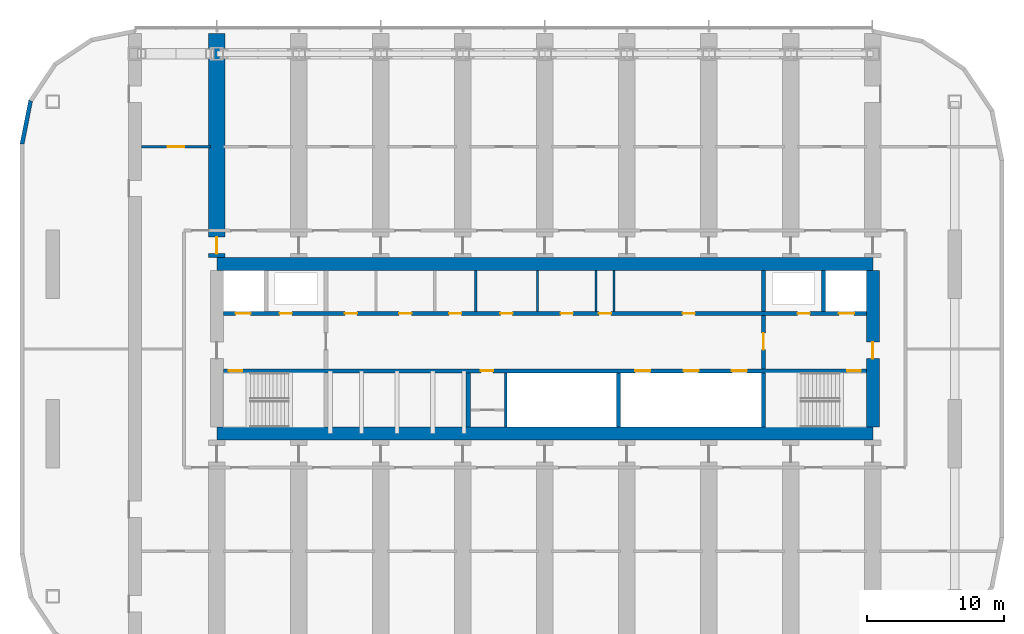
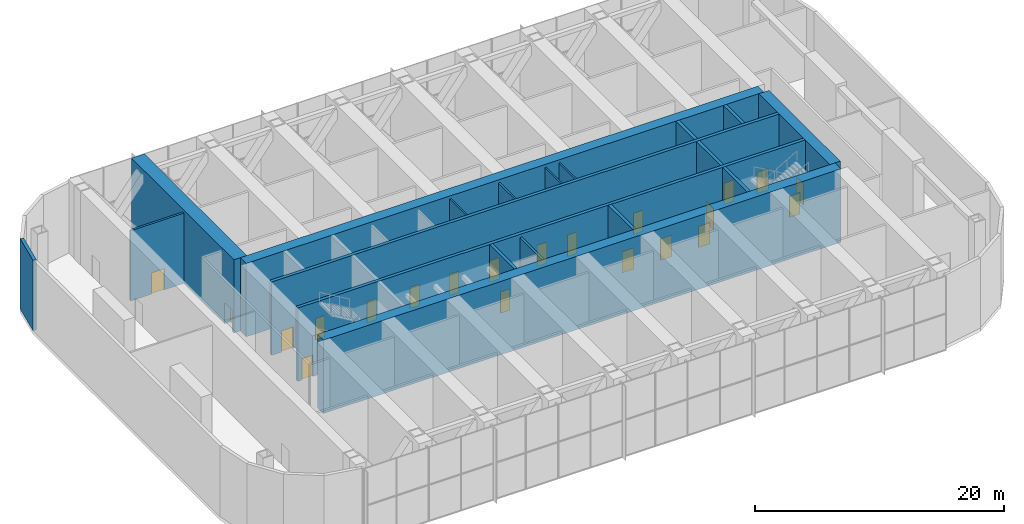
# One storey, part 10 of 22: 21 doors, 19 walls, 21 openings.
"""IFC4 building model written with IfcOpenShell, lengths in metres."""

from ifc_helpers import new_model, si_unit, direction, frame, frame_2d, origin, place, context, subcontext, project, spatial, polyline, rectangle, outline, extrude, material, layer, layer_set, type_object, element, fill, save


model = new_model("IFC4")

# Units and contexts
model_context = context("Model", 3, precision=1e-05, world=origin(), true_north=direction((0.0, 1.0)))
body_context = subcontext(model_context, "Body", "Model", "MODEL_VIEW")
ifc_project = project(units=[si_unit("LENGTHUNIT", "METRE"), si_unit("AREAUNIT", "SQUARE_METRE"), si_unit("VOLUMEUNIT", "CUBIC_METRE"), si_unit("PLANEANGLEUNIT", "RADIAN"), si_unit("MASSUNIT", "GRAM", prefix="KILO")], contexts=[model_context])

# Site, building, storey
site_placement = place(None, origin())
site = spatial("IfcSite", under=ifc_project, at=site_placement, CompositionType="ELEMENT")
building_placement = place(site_placement, origin())
building = spatial("IfcBuilding", under=site, at=building_placement, Name="Orbita Commons", CompositionType="ELEMENT")
storey_placement = place(building_placement, frame((0.0, 0.0, 133.14990234375)))
storey = spatial("IfcBuildingStorey", under=building, at=storey_placement, Name="L33", CompositionType="ELEMENT", Elevation=133.14990234375)

# Wall, openings, doors
ifc_material_1 = material(Name="Concrete C50/60", Category="concrete")
ifc_layer_1 = layer(ifc_material_1, 0.300048828125)
ifc_layer_set_1 = layer_set([ifc_layer_1], Name="Concrete C50/60")
wall_type_1 = type_object("IfcWallType", Name="Core inner wall 300 C50/60", PredefinedType="SHEAR", material=ifc_layer_set_1)
wall_1_placement = place(storey_placement, frame((18.47509765625, 30.39990234375, 0.0), z_axis=(0.0, 0.0, 1.0), x_axis=(1.0, 0.0, 0.0)))
wall_1 = element("IfcWall", 1, at=wall_1_placement, inside=storey, type_object=wall_type_1, Name="Lobby wall south L33", PredefinedType="SHEAR", context=body_context, shape_type="SweptSolid", body=[
    extrude(rectangle(XDim=47.0498046875, YDim=0.300048828125, at=frame_2d((23.52490234375, 0.0))), origin(), (0.0, 0.0, 1.0), 7.2001953125),
])
opening_1_placement = place(wall_1_placement, frame((0.39990234375, 0.0, 0.0)))
opening_1 = element("IfcOpeningElement", 2, at=opening_1_placement, cuts=wall_1, Name="Opening D02", PredefinedType="OPENING", context=body_context, shape_type="SweptSolid", body=[
    extrude(rectangle(XDim=1.0, YDim=2.10009765625, at=frame_2d((0.5, 1.050048828125))), frame((0.0, 0.159912109375, 0.0), z_axis=(0.0, -1.0, 0.0), x_axis=(1.0, 0.0, 0.0)), (0.0, 0.0, 1.0), 0.320068359375),
])
opening_2_placement = place(wall_1_placement, frame((45.64990234375, 0.0, 0.0)))
opening_2 = element("IfcOpeningElement", 3, at=opening_2_placement, cuts=wall_1, Name="Opening D02", PredefinedType="OPENING", context=body_context, shape_type="SweptSolid", body=[
    extrude(rectangle(XDim=1.0, YDim=2.10009765625, at=frame_2d((0.5, 1.050048828125))), frame((0.0, 0.159912109375, 0.0), z_axis=(0.0, -1.0, 0.0), x_axis=(1.0, 0.0, 0.0)), (0.0, 0.0, 1.0), 0.320068359375),
])
opening_3_placement = place(wall_1_placement, frame((18.85009765625, 0.0, 0.0)))
opening_3 = element("IfcOpeningElement", 4, at=opening_3_placement, cuts=wall_1, Name="Opening D05", PredefinedType="OPENING", context=body_context, shape_type="SweptSolid", body=[
    extrude(rectangle(XDim=0.89990234375, YDim=2.10009765625, at=frame_2d((0.449951171875, 1.050048828125))), frame((0.0, 0.159912109375, 0.0), z_axis=(0.0, -1.0, 0.0), x_axis=(1.0, 0.0, 0.0)), (0.0, 0.0, 1.0), 0.320068359375),
])
opening_4_placement = place(wall_1_placement, frame((30.1416015625, 0.0, 0.0)))
opening_4 = element("IfcOpeningElement", 5, at=opening_4_placement, cuts=wall_1, Name="Opening LD02", PredefinedType="OPENING", context=body_context, shape_type="SweptSolid", body=[
    extrude(rectangle(XDim=1.10009765625, YDim=2.10009765625, at=frame_2d((0.550048828125, 1.050048828125))), frame((0.0, 0.159912109375, 0.0), z_axis=(0.0, -1.0, 0.0), x_axis=(1.0, 0.0, 0.0)), (0.0, 0.0, 1.0), 0.320068359375),
])
opening_5_placement = place(wall_1_placement, frame((33.675048828125, 0.0, 0.0)))
opening_5 = element("IfcOpeningElement", 6, at=opening_5_placement, cuts=wall_1, Name="Opening LD02", PredefinedType="OPENING", context=body_context, shape_type="SweptSolid", body=[
    extrude(rectangle(XDim=1.10009765625, YDim=2.10009765625, at=frame_2d((0.550048828125, 1.050048828125))), frame((0.0, 0.159912109375, 0.0), z_axis=(0.0, -1.0, 0.0), x_axis=(1.0, 0.0, 0.0)), (0.0, 0.0, 1.0), 0.320068359375),
])
opening_6_placement = place(wall_1_placement, frame((37.208251953125, 0.0, 0.0)))
opening_6 = element("IfcOpeningElement", 7, at=opening_6_placement, cuts=wall_1, Name="Opening LD02", PredefinedType="OPENING", context=body_context, shape_type="SweptSolid", body=[
    extrude(rectangle(XDim=1.10009765625, YDim=2.10009765625, at=frame_2d((0.550048828125, 1.050048828125))), frame((0.0, 0.159912109375, 0.0), z_axis=(0.0, -1.0, 0.0), x_axis=(1.0, 0.0, 0.0)), (0.0, 0.0, 1.0), 0.320068359375),
])
ifc_material_2 = material(Name="Steel-faced fire door leaf", Category="steel")
door_type_1 = type_object("IfcDoorType", Name="Fire door 90 min 1000x2100", OperationType="SINGLE_SWING_LEFT", PredefinedType="DOOR", material=ifc_material_2)
door_1_placement = place(opening_1_placement, origin())
door_1 = element("IfcDoor", 8, at=door_1_placement, inside=storey, type_object=door_type_1, Name="Stair S1 door", OperationType="SINGLE_SWING_LEFT", OverallHeight=2.10009765625, OverallWidth=1.0, PredefinedType="DOOR", context=body_context, shape_type="SweptSolid", body=[
    extrude(rectangle(XDim=1.0, YDim=2.10009765625, at=frame_2d((0.5, 1.050048828125))), frame((0.0, 0.02490234375, 0.0), z_axis=(0.0, -1.0, 0.0), x_axis=(1.0, 0.0, 0.0)), (0.0, 0.0, 1.0), 0.050048828125),
])
fill(opening_1, door_1)
door_2_placement = place(opening_2_placement, origin())
door_2 = element("IfcDoor", 9, at=door_2_placement, inside=storey, type_object=door_type_1, Name="Stair S2 door", OperationType="SINGLE_SWING_LEFT", OverallHeight=2.10009765625, OverallWidth=1.0, PredefinedType="DOOR", context=body_context, shape_type="SweptSolid", body=[
    extrude(rectangle(XDim=1.0, YDim=2.10009765625, at=frame_2d((0.5, 1.050048828125))), frame((0.0, 0.02490234375, 0.0), z_axis=(0.0, -1.0, 0.0), x_axis=(1.0, 0.0, 0.0)), (0.0, 0.0, 1.0), 0.050048828125),
])
fill(opening_2, door_2)
ifc_material_3 = material(Name="Steel-faced fire door leaf", Category="steel")
door_type_2 = type_object("IfcDoorType", Name="Lift landing door 1100x2100", OperationType="DOUBLE_DOOR_SLIDING", PredefinedType="DOOR", material=ifc_material_3)
door_3_placement = place(opening_4_placement, origin())
door_3 = element("IfcDoor", 10, at=door_3_placement, inside=storey, type_object=door_type_2, Name="Lift SV1 landing door", OperationType="DOUBLE_DOOR_SLIDING", OverallHeight=2.10009765625, OverallWidth=1.10009765625, PredefinedType="DOOR", context=body_context, shape_type="SweptSolid", body=[
    extrude(rectangle(XDim=1.10009765625, YDim=2.10009765625, at=frame_2d((0.550048828125, 1.050048828125))), frame((0.0, 0.02490234375, 0.0), z_axis=(0.0, -1.0, 0.0), x_axis=(1.0, 0.0, 0.0)), (0.0, 0.0, 1.0), 0.050048828125),
])
fill(opening_4, door_3)
door_4_placement = place(opening_5_placement, origin())
door_4 = element("IfcDoor", 11, at=door_4_placement, inside=storey, type_object=door_type_2, Name="Lift SV2 landing door", OperationType="DOUBLE_DOOR_SLIDING", OverallHeight=2.10009765625, OverallWidth=1.10009765625, PredefinedType="DOOR", context=body_context, shape_type="SweptSolid", body=[
    extrude(rectangle(XDim=1.10009765625, YDim=2.10009765625, at=frame_2d((0.550048828125, 1.050048828125))), frame((0.0, 0.02490234375, 0.0), z_axis=(0.0, -1.0, 0.0), x_axis=(1.0, 0.0, 0.0)), (0.0, 0.0, 1.0), 0.050048828125),
])
fill(opening_5, door_4)
door_5_placement = place(opening_6_placement, origin())
door_5 = element("IfcDoor", 12, at=door_5_placement, inside=storey, type_object=door_type_2, Name="Lift SV3 landing door", OperationType="DOUBLE_DOOR_SLIDING", OverallHeight=2.10009765625, OverallWidth=1.10009765625, PredefinedType="DOOR", context=body_context, shape_type="SweptSolid", body=[
    extrude(rectangle(XDim=1.10009765625, YDim=2.10009765625, at=frame_2d((0.550048828125, 1.050048828125))), frame((0.0, 0.02490234375, 0.0), z_axis=(0.0, -1.0, 0.0), x_axis=(1.0, 0.0, 0.0)), (0.0, 0.0, 1.0), 0.050048828125),
])
fill(opening_6, door_5)
ifc_material_4 = material(Name="Steel-faced fire door leaf", Category="steel")
door_type_3 = type_object("IfcDoorType", Name="Service door 20 min 900x2100", OperationType="SINGLE_SWING_LEFT", PredefinedType="DOOR", material=ifc_material_4)
door_6_placement = place(opening_3_placement, origin())
door_6 = element("IfcDoor", 13, at=door_6_placement, inside=storey, type_object=door_type_3, Name="IT room door", OperationType="SINGLE_SWING_LEFT", OverallHeight=2.10009765625, OverallWidth=0.89990234375, PredefinedType="DOOR", context=body_context, shape_type="SweptSolid", body=[
    extrude(rectangle(XDim=0.89990234375, YDim=2.10009765625, at=frame_2d((0.449951171875, 1.050048828125))), frame((0.0, 0.02490234375, 0.0), z_axis=(0.0, -1.0, 0.0), x_axis=(1.0, 0.0, 0.0)), (0.0, 0.0, 1.0), 0.050048828125),
])
fill(opening_3, door_6)

wall_2_placement = place(storey_placement, frame((18.47509765625, 34.60009765625, 0.0), z_axis=(0.0, 0.0, 1.0), x_axis=(1.0, 0.0, 0.0)))
wall_2 = element("IfcWall", 14, at=wall_2_placement, inside=storey, type_object=wall_type_1, Name="Lobby wall north L33", PredefinedType="SHEAR", context=body_context, shape_type="SweptSolid", body=[
    extrude(rectangle(XDim=47.0498046875, YDim=0.300048828125, at=frame_2d((23.52490234375, 0.0))), origin(), (0.0, 0.0, 1.0), 7.2001953125),
])
opening_7_placement = place(wall_2_placement, frame((0.89990234375, 0.0, 0.0)))
opening_7 = element("IfcOpeningElement", 15, at=opening_7_placement, cuts=wall_2, Name="Opening LD01", PredefinedType="OPENING", context=body_context, shape_type="SweptSolid", body=[
    extrude(rectangle(XDim=1.10009765625, YDim=2.10009765625, at=frame_2d((0.550048828125, 1.050048828125))), frame((0.0, 0.159912109375, 0.0), z_axis=(0.0, -1.0, 0.0), x_axis=(1.0, 0.0, 0.0)), (0.0, 0.0, 1.0), 0.320068359375),
])
opening_8_placement = place(wall_2_placement, frame((45.050048828125, 0.0, 0.0)))
opening_8 = element("IfcOpeningElement", 16, at=opening_8_placement, cuts=wall_2, Name="Opening LD01", PredefinedType="OPENING", context=body_context, shape_type="SweptSolid", body=[
    extrude(rectangle(XDim=1.10009765625, YDim=2.10009765625, at=frame_2d((0.550048828125, 1.050048828125))), frame((0.0, 0.159912109375, 0.0), z_axis=(0.0, -1.0, 0.0), x_axis=(1.0, 0.0, 0.0)), (0.0, 0.0, 1.0), 0.320068359375),
])
opening_9_placement = place(wall_2_placement, frame((4.125, 0.0, 0.0)))
opening_9 = element("IfcOpeningElement", 17, at=opening_9_placement, cuts=wall_2, Name="Opening D03", PredefinedType="OPENING", context=body_context, shape_type="SweptSolid", body=[
    extrude(rectangle(XDim=0.89990234375, YDim=2.10009765625, at=frame_2d((0.449951171875, 1.050048828125))), frame((0.0, 0.159912109375, 0.0), z_axis=(0.0, -1.0, 0.0), x_axis=(1.0, 0.0, 0.0)), (0.0, 0.0, 1.0), 0.320068359375),
])
opening_10_placement = place(wall_2_placement, frame((42.02490234375, 0.0, 0.0)))
opening_10 = element("IfcOpeningElement", 18, at=opening_10_placement, cuts=wall_2, Name="Opening D03", PredefinedType="OPENING", context=body_context, shape_type="SweptSolid", body=[
    extrude(rectangle(XDim=0.89990234375, YDim=2.10009765625, at=frame_2d((0.449951171875, 1.050048828125))), frame((0.0, 0.159912109375, 0.0), z_axis=(0.0, -1.0, 0.0), x_axis=(1.0, 0.0, 0.0)), (0.0, 0.0, 1.0), 0.320068359375),
])
opening_11_placement = place(wall_2_placement, frame((8.900390625, 0.0, 0.0)))
opening_11 = element("IfcOpeningElement", 19, at=opening_11_placement, cuts=wall_2, Name="Opening D05", PredefinedType="OPENING", context=body_context, shape_type="SweptSolid", body=[
    extrude(rectangle(XDim=0.89990234375, YDim=2.10009765625, at=frame_2d((0.449951171875, 1.050048828125))), frame((0.0, 0.159912109375, 0.0), z_axis=(0.0, -1.0, 0.0), x_axis=(1.0, 0.0, 0.0)), (0.0, 0.0, 1.0), 0.320068359375),
])
opening_12_placement = place(wall_2_placement, frame((12.873779296875, 0.0, 0.0)))
opening_12 = element("IfcOpeningElement", 20, at=opening_12_placement, cuts=wall_2, Name="Opening D03", PredefinedType="OPENING", context=body_context, shape_type="SweptSolid", body=[
    extrude(rectangle(XDim=0.89990234375, YDim=2.10009765625, at=frame_2d((0.449951171875, 1.050048828125))), frame((0.0, 0.159912109375, 0.0), z_axis=(0.0, -1.0, 0.0), x_axis=(1.0, 0.0, 0.0)), (0.0, 0.0, 1.0), 0.320068359375),
])
opening_13_placement = place(wall_2_placement, frame((16.521240234375, 0.0, 0.0)))
opening_13 = element("IfcOpeningElement", 21, at=opening_13_placement, cuts=wall_2, Name="Opening D03", PredefinedType="OPENING", context=body_context, shape_type="SweptSolid", body=[
    extrude(rectangle(XDim=0.89990234375, YDim=2.10009765625, at=frame_2d((0.449951171875, 1.050048828125))), frame((0.0, 0.159912109375, 0.0), z_axis=(0.0, -1.0, 0.0), x_axis=(1.0, 0.0, 0.0)), (0.0, 0.0, 1.0), 0.320068359375),
])
opening_14_placement = place(wall_2_placement, frame((20.27978515625, 0.0, 0.0)))
opening_14 = element("IfcOpeningElement", 22, at=opening_14_placement, cuts=wall_2, Name="Opening D05", PredefinedType="OPENING", context=body_context, shape_type="SweptSolid", body=[
    extrude(rectangle(XDim=0.89990234375, YDim=2.10009765625, at=frame_2d((0.449951171875, 1.050048828125))), frame((0.0, 0.159912109375, 0.0), z_axis=(0.0, -1.0, 0.0), x_axis=(1.0, 0.0, 0.0)), (0.0, 0.0, 1.0), 0.320068359375),
])
opening_15_placement = place(wall_2_placement, frame((24.685791015625, 0.0, 0.0)))
opening_15 = element("IfcOpeningElement", 23, at=opening_15_placement, cuts=wall_2, Name="Opening D03", PredefinedType="OPENING", context=body_context, shape_type="SweptSolid", body=[
    extrude(rectangle(XDim=0.89990234375, YDim=2.10009765625, at=frame_2d((0.449951171875, 1.050048828125))), frame((0.0, 0.159912109375, 0.0), z_axis=(0.0, -1.0, 0.0), x_axis=(1.0, 0.0, 0.0)), (0.0, 0.0, 1.0), 0.320068359375),
])
opening_16_placement = place(wall_2_placement, frame((27.4833984375, 0.0, 0.0)))
opening_16 = element("IfcOpeningElement", 24, at=opening_16_placement, cuts=wall_2, Name="Opening D03", PredefinedType="OPENING", context=body_context, shape_type="SweptSolid", body=[
    extrude(rectangle(XDim=0.89990234375, YDim=2.10009765625, at=frame_2d((0.449951171875, 1.050048828125))), frame((0.0, 0.159912109375, 0.0), z_axis=(0.0, -1.0, 0.0), x_axis=(1.0, 0.0, 0.0)), (0.0, 0.0, 1.0), 0.320068359375),
])
opening_17_placement = place(wall_2_placement, frame((33.604248046875, 0.0, 0.0)))
opening_17 = element("IfcOpeningElement", 25, at=opening_17_placement, cuts=wall_2, Name="Opening D03", PredefinedType="OPENING", context=body_context, shape_type="SweptSolid", body=[
    extrude(rectangle(XDim=0.89990234375, YDim=2.10009765625, at=frame_2d((0.449951171875, 1.050048828125))), frame((0.0, 0.159912109375, 0.0), z_axis=(0.0, -1.0, 0.0), x_axis=(1.0, 0.0, 0.0)), (0.0, 0.0, 1.0), 0.320068359375),
])
ifc_material_5 = material(Name="Steel-faced fire door leaf", Category="steel")
door_type_4 = type_object("IfcDoorType", Name="Firefighting lift landing door 1100x2100", OperationType="DOUBLE_DOOR_SLIDING", PredefinedType="DOOR", material=ifc_material_5)
door_7_placement = place(opening_7_placement, origin())
door_7 = element("IfcDoor", 26, at=door_7_placement, inside=storey, type_object=door_type_4, Name="Firefighting lift FL1 landing door", OperationType="DOUBLE_DOOR_SLIDING", OverallHeight=2.10009765625, OverallWidth=1.10009765625, PredefinedType="DOOR", context=body_context, shape_type="SweptSolid", body=[
    extrude(rectangle(XDim=1.10009765625, YDim=2.10009765625, at=frame_2d((0.550048828125, 1.050048828125))), frame((0.0, 0.02490234375, 0.0), z_axis=(0.0, -1.0, 0.0), x_axis=(1.0, 0.0, 0.0)), (0.0, 0.0, 1.0), 0.050048828125),
])
fill(opening_7, door_7)
door_8_placement = place(opening_8_placement, origin())
door_8 = element("IfcDoor", 27, at=door_8_placement, inside=storey, type_object=door_type_4, Name="Firefighting lift FL2 landing door", OperationType="DOUBLE_DOOR_SLIDING", OverallHeight=2.10009765625, OverallWidth=1.10009765625, PredefinedType="DOOR", context=body_context, shape_type="SweptSolid", body=[
    extrude(rectangle(XDim=1.10009765625, YDim=2.10009765625, at=frame_2d((0.550048828125, 1.050048828125))), frame((0.0, 0.02490234375, 0.0), z_axis=(0.0, -1.0, 0.0), x_axis=(1.0, 0.0, 0.0)), (0.0, 0.0, 1.0), 0.050048828125),
])
fill(opening_8, door_8)
door_9_placement = place(opening_11_placement, origin())
door_9 = element("IfcDoor", 28, at=door_9_placement, inside=storey, type_object=door_type_3, Name="Staff WC door", OperationType="SINGLE_SWING_LEFT", OverallHeight=2.10009765625, OverallWidth=0.89990234375, PredefinedType="DOOR", context=body_context, shape_type="SweptSolid", body=[
    extrude(rectangle(XDim=0.89990234375, YDim=2.10009765625, at=frame_2d((0.449951171875, 1.050048828125))), frame((0.0, 0.02490234375, 0.0), z_axis=(0.0, -1.0, 0.0), x_axis=(1.0, 0.0, 0.0)), (0.0, 0.0, 1.0), 0.050048828125),
])
fill(opening_11, door_9)
door_10_placement = place(opening_14_placement, origin())
door_10 = element("IfcDoor", 29, at=door_10_placement, inside=storey, type_object=door_type_3, Name="Accessible WC door", OperationType="SINGLE_SWING_LEFT", OverallHeight=2.10009765625, OverallWidth=0.89990234375, PredefinedType="DOOR", context=body_context, shape_type="SweptSolid", body=[
    extrude(rectangle(XDim=0.89990234375, YDim=2.10009765625, at=frame_2d((0.449951171875, 1.050048828125))), frame((0.0, 0.02490234375, 0.0), z_axis=(0.0, -1.0, 0.0), x_axis=(1.0, 0.0, 0.0)), (0.0, 0.0, 1.0), 0.050048828125),
])
fill(opening_14, door_10)
ifc_material_6 = material(Name="Steel-faced fire door leaf", Category="steel")
door_type_5 = type_object("IfcDoorType", Name="Shaft access door 90 min 900x2100", OperationType="SINGLE_SWING_LEFT", PredefinedType="DOOR", material=ifc_material_6)
door_11_placement = place(opening_9_placement, origin())
door_11 = element("IfcDoor", 30, at=door_11_placement, inside=storey, type_object=door_type_5, Name="Riser door west", OperationType="SINGLE_SWING_LEFT", OverallHeight=2.10009765625, OverallWidth=0.89990234375, PredefinedType="DOOR", context=body_context, shape_type="SweptSolid", body=[
    extrude(rectangle(XDim=0.89990234375, YDim=2.10009765625, at=frame_2d((0.449951171875, 1.050048828125))), frame((0.0, 0.02490234375, 0.0), z_axis=(0.0, -1.0, 0.0), x_axis=(1.0, 0.0, 0.0)), (0.0, 0.0, 1.0), 0.050048828125),
])
fill(opening_9, door_11)
door_12_placement = place(opening_10_placement, origin())
door_12 = element("IfcDoor", 31, at=door_12_placement, inside=storey, type_object=door_type_5, Name="Riser door east", OperationType="SINGLE_SWING_LEFT", OverallHeight=2.10009765625, OverallWidth=0.89990234375, PredefinedType="DOOR", context=body_context, shape_type="SweptSolid", body=[
    extrude(rectangle(XDim=0.89990234375, YDim=2.10009765625, at=frame_2d((0.449951171875, 1.050048828125))), frame((0.0, 0.02490234375, 0.0), z_axis=(0.0, -1.0, 0.0), x_axis=(1.0, 0.0, 0.0)), (0.0, 0.0, 1.0), 0.050048828125),
])
fill(opening_10, door_12)
door_13_placement = place(opening_12_placement, origin())
door_13 = element("IfcDoor", 32, at=door_13_placement, inside=storey, type_object=door_type_5, Name="Refuse chute room door", OperationType="SINGLE_SWING_LEFT", OverallHeight=2.10009765625, OverallWidth=0.89990234375, PredefinedType="DOOR", context=body_context, shape_type="SweptSolid", body=[
    extrude(rectangle(XDim=0.89990234375, YDim=2.10009765625, at=frame_2d((0.449951171875, 1.050048828125))), frame((0.0, 0.02490234375, 0.0), z_axis=(0.0, -1.0, 0.0), x_axis=(1.0, 0.0, 0.0)), (0.0, 0.0, 1.0), 0.050048828125),
])
fill(opening_12, door_13)
door_14_placement = place(opening_13_placement, origin())
door_14 = element("IfcDoor", 33, at=door_14_placement, inside=storey, type_object=door_type_5, Name="Electrical riser room door", OperationType="SINGLE_SWING_LEFT", OverallHeight=2.10009765625, OverallWidth=0.89990234375, PredefinedType="DOOR", context=body_context, shape_type="SweptSolid", body=[
    extrude(rectangle(XDim=0.89990234375, YDim=2.10009765625, at=frame_2d((0.449951171875, 1.050048828125))), frame((0.0, 0.02490234375, 0.0), z_axis=(0.0, -1.0, 0.0), x_axis=(1.0, 0.0, 0.0)), (0.0, 0.0, 1.0), 0.050048828125),
])
fill(opening_13, door_14)
door_15_placement = place(opening_15_placement, origin())
door_15 = element("IfcDoor", 34, at=door_15_placement, inside=storey, type_object=door_type_5, Name="Communications room door", OperationType="SINGLE_SWING_LEFT", OverallHeight=2.10009765625, OverallWidth=0.89990234375, PredefinedType="DOOR", context=body_context, shape_type="SweptSolid", body=[
    extrude(rectangle(XDim=0.89990234375, YDim=2.10009765625, at=frame_2d((0.449951171875, 1.050048828125))), frame((0.0, 0.02490234375, 0.0), z_axis=(0.0, -1.0, 0.0), x_axis=(1.0, 0.0, 0.0)), (0.0, 0.0, 1.0), 0.050048828125),
])
fill(opening_15, door_15)
door_16_placement = place(opening_16_placement, origin())
door_16 = element("IfcDoor", 35, at=door_16_placement, inside=storey, type_object=door_type_5, Name="Stair pressurisation duct door", OperationType="SINGLE_SWING_LEFT", OverallHeight=2.10009765625, OverallWidth=0.89990234375, PredefinedType="DOOR", context=body_context, shape_type="SweptSolid", body=[
    extrude(rectangle(XDim=0.89990234375, YDim=2.10009765625, at=frame_2d((0.449951171875, 1.050048828125))), frame((0.0, 0.02490234375, 0.0), z_axis=(0.0, -1.0, 0.0), x_axis=(1.0, 0.0, 0.0)), (0.0, 0.0, 1.0), 0.050048828125),
])
fill(opening_16, door_16)
door_17_placement = place(opening_17_placement, origin())
door_17 = element("IfcDoor", 36, at=door_17_placement, inside=storey, type_object=door_type_5, Name="Linen and housekeeping store door", OperationType="SINGLE_SWING_LEFT", OverallHeight=2.10009765625, OverallWidth=0.89990234375, PredefinedType="DOOR", context=body_context, shape_type="SweptSolid", body=[
    extrude(rectangle(XDim=0.89990234375, YDim=2.10009765625, at=frame_2d((0.449951171875, 1.050048828125))), frame((0.0, 0.02490234375, 0.0), z_axis=(0.0, -1.0, 0.0), x_axis=(1.0, 0.0, 0.0)), (0.0, 0.0, 1.0), 0.050048828125),
])
fill(opening_17, door_17)

# Wall
wall_3_placement = place(storey_placement, frame((58.0, 26.27490234375, 0.0), z_axis=(0.0, 0.0, 1.0), x_axis=(0.0, 1.0, 0.0)))
element("IfcWall", 37, at=wall_3_placement, inside=storey, type_object=wall_type_1, Name="Stair S2 wall L33", PredefinedType="SHEAR", context=body_context, shape_type="SweptSolid", body=[
    extrude(rectangle(XDim=3.97509765625, YDim=0.300048828125, at=frame_2d((1.987548828125, 0.0))), origin(), (0.0, 0.0, 1.0), 7.2001953125),
])

# Wall, opening, door
wall_4_placement = place(storey_placement, frame((58.0, 30.550048828125, 0.0), z_axis=(0.0, 0.0, 1.0), x_axis=(0.0, 1.0, 0.0)))
wall_4 = element("IfcWall", 38, at=wall_4_placement, inside=storey, type_object=wall_type_1, Name="Firefighting lobby wall east L33", PredefinedType="SHEAR", context=body_context, shape_type="SweptSolid", body=[
    extrude(rectangle(XDim=3.89990234375, YDim=0.300048828125, at=frame_2d((1.949951171875, 0.0))), origin(), (0.0, 0.0, 1.0), 7.2001953125),
])
opening_18_placement = place(wall_4_placement, frame((1.39990234375, 0.0, 0.0)))
opening_18 = element("IfcOpeningElement", 39, at=opening_18_placement, cuts=wall_4, Name="Opening D04", PredefinedType="OPENING", context=body_context, shape_type="SweptSolid", body=[
    extrude(rectangle(XDim=1.199951171875, YDim=2.10009765625, at=frame_2d((0.60009765625, 1.050048828125))), frame((0.0, 0.159912109375, 0.0), z_axis=(0.0, -1.0, 0.0), x_axis=(1.0, 0.0, 0.0)), (0.0, 0.0, 1.0), 0.320068359375),
])
ifc_material_7 = material(Name="Steel-faced fire door leaf", Category="steel")
door_type_6 = type_object("IfcDoorType", Name="Service door 20 min 1200x2100", OperationType="SINGLE_SWING_LEFT", PredefinedType="DOOR", material=ifc_material_7)
door_18_placement = place(opening_18_placement, origin())
door_18 = element("IfcDoor", 40, at=door_18_placement, inside=storey, type_object=door_type_6, Name="Lift lobby door east", OperationType="SINGLE_SWING_LEFT", OverallHeight=2.10009765625, OverallWidth=1.199951171875, PredefinedType="DOOR", context=body_context, shape_type="SweptSolid", body=[
    extrude(rectangle(XDim=1.199951171875, YDim=2.10009765625, at=frame_2d((0.60009765625, 1.050048828125))), frame((0.0, 0.02490234375, 0.0), z_axis=(0.0, -1.0, 0.0), x_axis=(1.0, 0.0, 0.0)), (0.0, 0.0, 1.0), 0.050048828125),
])
fill(opening_18, door_18)

# Walls
for number, where, z_axis, x_axis, name in (
    (41, (62.39990234375, 34.75, 0.0), (0.0, 0.0, 1.0), (0.0, 1.0, 0.0), "Firefighting lift FL2 shaft wall L33"),
    (42, (58.0, 34.75, 0.0), (0.0, 0.0, 1.0), (0.0, 1.0, 0.0), "Riser wall east L33"),
):
    element("IfcWall", number, at=place(storey_placement, frame(where, z_axis=z_axis, x_axis=x_axis)), inside=storey, type_object=wall_type_1, Name=name, PredefinedType="SHEAR", context=body_context, shape_type="SweptSolid", body=[
        extrude(rectangle(XDim=2.97509765625, YDim=0.300048828125, at=frame_2d((1.487548828125, 0.0))), origin(), (0.0, 0.0, 1.0), 7.2001953125),
    ])
for number, where, z_axis, x_axis, name in (
    (43, (36.39990234375, 26.27490234375, 0.0), (0.0, 0.0, 1.0), (0.0, 1.0, 0.0), "Hoistway division wall L33"),
    (44, (47.39990234375, 26.27490234375, 0.0), (0.0, 0.0, 1.0), (0.0, 1.0, 0.0), "Hoistway division wall L33"),
):
    element("IfcWall", number, at=place(storey_placement, frame(where, z_axis=z_axis, x_axis=x_axis)), inside=storey, type_object=wall_type_1, Name=name, PredefinedType="SHEAR", context=body_context, shape_type="SweptSolid", body=[
        extrude(rectangle(XDim=3.97509765625, YDim=0.300048828125, at=frame_2d((1.987548828125, 0.0))), origin(), (0.0, 0.0, 1.0), 7.2001953125),
    ])
ifc_material_8 = material(Name="Concrete blockwork", Category="masonry")
ifc_layer_2 = layer(ifc_material_8, 0.14990234375)
ifc_layer_set_2 = layer_set([ifc_layer_2], Name="Concrete blockwork")
wall_type_2 = type_object("IfcWallType", Name="Core partition 150 blockwork", PredefinedType="SOLIDWALL", material=ifc_layer_set_2)
for number, where, z_axis, x_axis, name in (
    (45, (36.9462890625, 34.75, 0.0), (0.0, 0.0, 1.0), (0.0, 1.0, 0.0), "Core partition 150 blockwork L33"),
    (46, (41.463134765625, 34.75, 0.0), (0.0, 0.0, 1.0), (0.0, 1.0, 0.0), "Core partition 150 blockwork L33"),
    (47, (45.75830078125, 34.75, 0.0), (0.0, 0.0, 1.0), (0.0, 1.0, 0.0), "Core partition 150 blockwork L33"),
    (48, (47.058349609375, 34.75, 0.0), (0.0, 0.0, 1.0), (0.0, 1.0, 0.0), "Core partition 150 blockwork L33"),
):
    element("IfcWall", number, at=place(storey_placement, frame(where, z_axis=z_axis, x_axis=x_axis)), inside=storey, type_object=wall_type_2, Name=name, PredefinedType="SOLIDWALL", context=body_context, shape_type="SweptSolid", body=[
        extrude(rectangle(XDim=2.97509765625, YDim=0.14990234375, at=frame_2d((1.487548828125, 0.0))), origin(), (0.0, 0.0, 1.0), 6.900146484375),
    ])
ifc_material_9 = material(Name="Concrete C50/60", Category="concrete")
ifc_layer_3 = layer(ifc_material_9, 0.949951171875)
ifc_layer_set_3 = layer_set([ifc_layer_3], Name="Concrete C50/60")
wall_type_3 = type_object("IfcWallType", Name="Core wall 950 C50/60", PredefinedType="SHEAR", material=ifc_layer_set_3)
for number, where, z_axis, x_axis, name in (
    (49, (18.0, 25.800048828125, 0.0), (0.0, 0.0, 1.0), (1.0, 0.0, 0.0), "Core spine wall south L33"),
    (50, (18.0, 38.199951171875, 0.0), (0.0, 0.0, 1.0), (1.0, 0.0, 0.0), "Core spine wall north L33"),
):
    element("IfcWall", number, at=place(storey_placement, frame(where, z_axis=z_axis, x_axis=x_axis)), inside=storey, type_object=wall_type_3, Name=name, PredefinedType="SHEAR", context=body_context, shape_type="SweptSolid", body=[
        extrude(rectangle(XDim=48.0, YDim=0.949951171875, at=frame_2d((24.0, 0.0))), origin(), (0.0, 0.0, 1.0), 7.2001953125),
    ])

# Wall, opening, door
wall_5_placement = place(storey_placement, frame((66.0, 26.27490234375, 0.0), z_axis=(0.0, 0.0, 1.0), x_axis=(0.0, 1.0, 0.0)))
wall_5 = element("IfcWall", 51, at=wall_5_placement, inside=storey, type_object=wall_type_3, Name="Core end wall east L33", PredefinedType="SHEAR", context=body_context, shape_type="SweptSolid", body=[
    extrude(rectangle(XDim=11.4501953125, YDim=0.949951171875, at=frame_2d((5.72509765625, 0.0))), origin(), (0.0, 0.0, 1.0), 7.2001953125),
])
opening_19_placement = place(wall_5_placement, frame((5.02490234375, 0.0, 0.0)))
opening_19 = element("IfcOpeningElement", 52, at=opening_19_placement, cuts=wall_5, Name="Opening D01", PredefinedType="OPENING", context=body_context, shape_type="SweptSolid", body=[
    extrude(rectangle(XDim=1.199951171875, YDim=2.10009765625, at=frame_2d((0.60009765625, 1.050048828125))), frame((0.0, 0.48486328125, 0.0), z_axis=(0.0, -1.0, 0.0), x_axis=(1.0, 0.0, 0.0)), (0.0, 0.0, 1.0), 0.969970703125),
])
ifc_material_10 = material(Name="Steel-faced fire door leaf", Category="steel")
door_type_7 = type_object("IfcDoorType", Name="Fire door 90 min 1200x2100", OperationType="SINGLE_SWING_LEFT", PredefinedType="DOOR", material=ifc_material_10)
door_19_placement = place(opening_19_placement, origin())
door_19 = element("IfcDoor", 53, at=door_19_placement, inside=storey, type_object=door_type_7, Name="Firefighting lobby east door", OperationType="SINGLE_SWING_LEFT", OverallHeight=2.10009765625, OverallWidth=1.199951171875, PredefinedType="DOOR", context=body_context, shape_type="SweptSolid", body=[
    extrude(rectangle(XDim=1.199951171875, YDim=2.10009765625, at=frame_2d((0.60009765625, 1.050048828125))), frame((0.0, 0.02490234375, 0.0), z_axis=(0.0, -1.0, 0.0), x_axis=(1.0, 0.0, 0.0)), (0.0, 0.0, 1.0), 0.050048828125),
])
fill(opening_19, door_19)

ifc_material_11 = material(Name="Hollow concrete block 200", Category="concrete")
ifc_layer_4 = layer(ifc_material_11, 0.199951171875)
ifc_layer_set_4 = layer_set([ifc_layer_4], Name="Hollow concrete block 200")
wall_type_4 = type_object("IfcWallType", Name="Corridor wall 200 hollow concrete block", PredefinedType="SOLIDWALL", material=ifc_layer_set_4)
wall_6_placement = place(storey_placement, frame((12.47509765625, 46.800048828125, 0.0), z_axis=(0.0, 0.0, 1.0), x_axis=(1.0, 0.0, 0.0)))
wall_6 = element("IfcWall", 54, at=wall_6_placement, inside=storey, type_object=wall_type_4, Name="Corridor wall 200 hollow concrete block L33", PredefinedType="SOLIDWALL", context=body_context, shape_type="SweptSolid", body=[
    extrude(rectangle(XDim=5.0498046875, YDim=0.199951171875, at=frame_2d((2.52490234375, 0.0))), origin(), (0.0, 0.0, 1.0), 6.900146484375),
])
opening_20_placement = place(wall_6_placement, frame((1.925048828125, 0.0, 0.0)))
opening_20 = element("IfcOpeningElement", 55, at=opening_20_placement, cuts=wall_6, Name="Opening D01", PredefinedType="OPENING", context=body_context, shape_type="SweptSolid", body=[
    extrude(rectangle(XDim=1.199951171875, YDim=2.10009765625, at=frame_2d((0.60009765625, 1.050048828125))), frame((0.0, 0.10986328125, 0.0), z_axis=(0.0, -1.0, 0.0), x_axis=(1.0, 0.0, 0.0)), (0.0, 0.0, 1.0), 0.219970703125),
])
door_20_placement = place(opening_20_placement, origin())
door_20 = element("IfcDoor", 56, at=door_20_placement, inside=storey, type_object=door_type_7, Name="Plant room door L33", OperationType="SINGLE_SWING_LEFT", OverallHeight=2.10009765625, OverallWidth=1.199951171875, PredefinedType="DOOR", context=body_context, shape_type="SweptSolid", body=[
    extrude(rectangle(XDim=1.199951171875, YDim=2.10009765625, at=frame_2d((0.60009765625, 1.050048828125))), frame((0.0, 0.02490234375, 0.0), z_axis=(0.0, -1.0, 0.0), x_axis=(1.0, 0.0, 0.0)), (0.0, 0.0, 1.0), 0.050048828125),
])
fill(opening_20, door_20)

ifc_material_12 = material(Name="Concrete C50/60", Category="concrete")
ifc_layer_5 = layer(ifc_material_12, 1.199951171875)
ifc_layer_set_5 = layer_set([ifc_layer_5], Name="Concrete C50/60")
wall_type_5 = type_object("IfcWallType", Name="Outrigger wall 1200 C50/60", PredefinedType="SHEAR", material=ifc_layer_set_5)
wall_7_placement = place(storey_placement, frame((18.0, 38.675048828125, 0.0), z_axis=(0.0, 0.0, 1.0), x_axis=(0.0, 1.0, 0.0)))
wall_7 = element("IfcWall", 57, at=wall_7_placement, inside=storey, type_object=wall_type_5, Name="Outrigger wall 4 north L33", PredefinedType="SHEAR", context=body_context, shape_type="SweptSolid", body=[
    extrude(rectangle(XDim=16.425048828125, YDim=1.199951171875, at=frame_2d((8.21240234375, 0.0))), origin(), (0.0, 0.0, 1.0), 7.2001953125),
])
opening_21_placement = place(wall_7_placement, frame((0.300048828125, 0.0, 0.0)))
opening_21 = element("IfcOpeningElement", 58, at=opening_21_placement, cuts=wall_7, Name="Opening D01", PredefinedType="OPENING", context=body_context, shape_type="SweptSolid", body=[
    extrude(rectangle(XDim=1.199951171875, YDim=2.10009765625, at=frame_2d((0.60009765625, 1.050048828125))), frame((0.0, 0.60986328125, 0.0), z_axis=(0.0, -1.0, 0.0), x_axis=(1.0, 0.0, 0.0)), (0.0, 0.0, 1.0), 1.219970703125),
])
door_21_placement = place(opening_21_placement, origin())
door_21 = element("IfcDoor", 59, at=door_21_placement, inside=storey, type_object=door_type_7, Name="Corridor door through cross wall N L33", OperationType="SINGLE_SWING_LEFT", OverallHeight=2.10009765625, OverallWidth=1.199951171875, PredefinedType="DOOR", context=body_context, shape_type="SweptSolid", body=[
    extrude(rectangle(XDim=1.199951171875, YDim=2.10009765625, at=frame_2d((0.60009765625, 1.050048828125))), frame((0.0, 0.02490234375, 0.0), z_axis=(0.0, -1.0, 0.0), x_axis=(1.0, 0.0, 0.0)), (0.0, 0.0, 1.0), 0.050048828125),
])
fill(opening_21, door_21)

# Walls
ifc_material_13 = material(Name="Precast concrete C40/50, white board-marked finish", Category="concrete")
ifc_layer_6 = layer(ifc_material_13, 0.300048828125)
ifc_layer_set_6 = layer_set([ifc_layer_6], Name="Precast concrete C40/50, white board-marked finish")
wall_type_6 = type_object("IfcWallType", Name="Precast concrete end shield 300", PredefinedType="SOLIDWALL", material=ifc_layer_set_6)
wall_8_placement = place(storey_placement, frame((4.3779296875, 50.156982421875, 0.0), z_axis=(0.0, 0.0, 1.0), x_axis=(-0.195080412259, -0.980787251524, 0.0)))
element("IfcWall", 60, at=wall_8_placement, inside=storey, type_object=wall_type_6, Name="End shield NW chord 4 L33", PredefinedType="SOLIDWALL", context=body_context, shape_type="SweptSolid", body=[
    extrude(outline(polyline([(-0.02978515625, -0.14990234375), (3.233642578125, -0.14990234375), (3.203857421875, 0.14990234375), (0.02978515625, 0.14990234375), (-0.02978515625, -0.14990234375)])), origin(), (0.0, 0.0, 1.0), 6.900146484375),
])
ifc_material_14 = material(Name="Concrete blockwork, fully filled", Category="masonry")
ifc_layer_7 = layer(ifc_material_14, 0.199951171875)
ifc_layer_set_7 = layer_set([ifc_layer_7], Name="Concrete blockwork, fully filled")
wall_type_7 = type_object("IfcWallType", Name="Shaft partition 200 blockwork", PredefinedType="SOLIDWALL", material=ifc_layer_set_7)
wall_9_placement = place(storey_placement, frame((39.14990234375, 26.27490234375, 0.0), z_axis=(0.0, 0.0, 1.0), x_axis=(0.0, 1.0, 0.0)))
element("IfcWall", 61, at=wall_9_placement, inside=storey, type_object=wall_type_7, Name="Shaft partition 200 blockwork L33", PredefinedType="SOLIDWALL", context=body_context, shape_type="SweptSolid", body=[
    extrude(rectangle(XDim=3.97509765625, YDim=0.199951171875, at=frame_2d((1.987548828125, 0.0))), origin(), (0.0, 0.0, 1.0), 6.900146484375),
])

save(model, "model.ifc")
